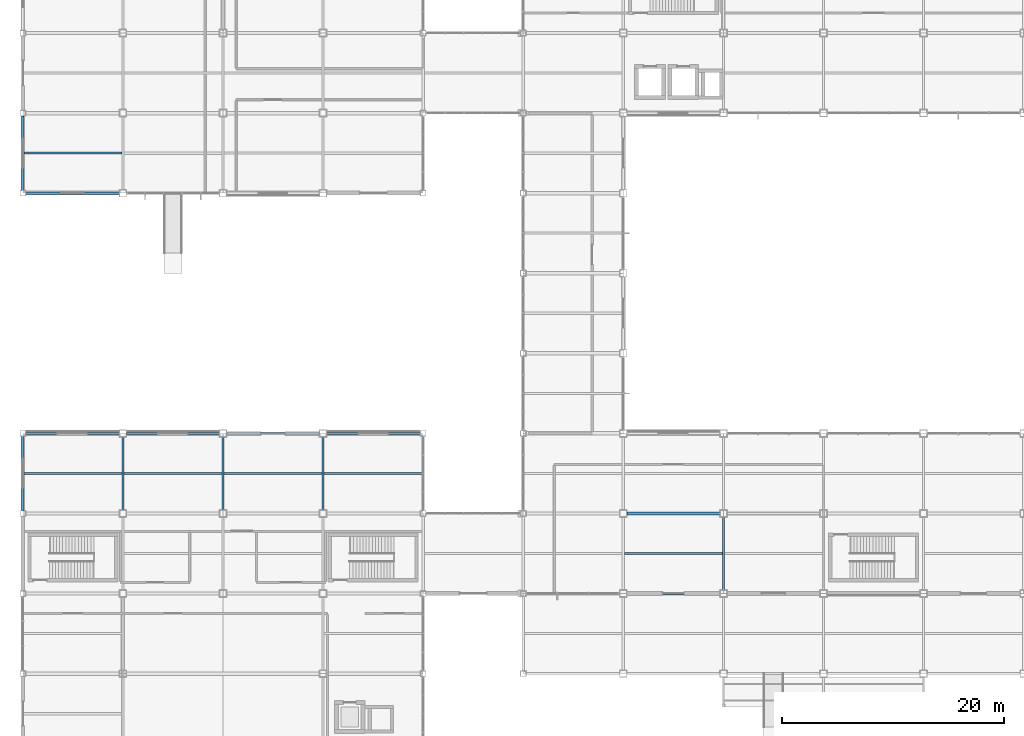
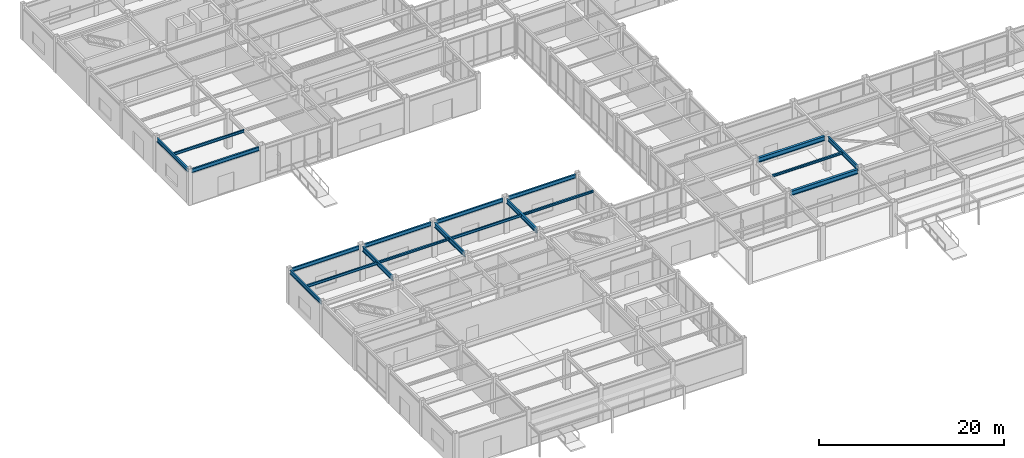
# One storey, part 25 of 112: 19 beams.
"""IFC4 building model written with IfcOpenShell, lengths in metres."""

from ifc_helpers import new_model, si_unit, direction, frame, origin, origin_2d, place, context, subcontext, project, spatial, i_section, extrude, material, material_profile, profile_set, type_object, element, save


model = new_model("IFC4")

# Units and contexts
model_context = context("Model", 3, precision=1e-05, world=origin(), true_north=direction((0.0, 1.0)))
body_context = subcontext(model_context, "Body", "Model", "MODEL_VIEW")
ifc_project = project(units=[si_unit("LENGTHUNIT", "METRE"), si_unit("AREAUNIT", "SQUARE_METRE"), si_unit("VOLUMEUNIT", "CUBIC_METRE"), si_unit("PLANEANGLEUNIT", "RADIAN"), si_unit("MASSUNIT", "GRAM", prefix="KILO")], contexts=[model_context])

# Site, building, storey
site_placement = place(None, origin())
site = spatial("IfcSite", under=ifc_project, at=site_placement, CompositionType="ELEMENT")
building_placement = place(site_placement, origin())
building = spatial("IfcBuilding", under=site, at=building_placement, Name="Kazanami Central Library", CompositionType="ELEMENT")
storey_placement = place(building_placement, origin())
storey = spatial("IfcBuildingStorey", under=building, at=storey_placement, Name="L01", CompositionType="ELEMENT", Elevation=0.0)

# Beams
ifc_material_1 = material(Name="Steel SN400B (235 MPa)", Category="steel")
ifc_material_profile_1 = material_profile(ifc_material_1, i_section(OverallWidth=0.175048828125, OverallDepth=0.35009765625, WebThickness=0.007080078125, FlangeThickness=0.010986328125, at=origin_2d()), Name="H-350x175x7x11")
ifc_profile_set_1 = profile_set([ifc_material_profile_1], Name="Steel SN400B (235 MPa)")
beam_type_1 = type_object("IfcBeamType", Name="BM-B-S2", PredefinedType="JOIST", material=ifc_profile_set_1)
for number, where, z_axis, x_axis, name in (
    (1, (0.097900390625, 32.39990234375, 4.3798828125), (1.0, 0.0, 0.0), (0.0, 1.0, 0.0), "Composite Secondary Joist B-S2 L01 Bay 1/E.1"),
    (2, (0.097900390625, 61.199951171875, 4.3798828125), (1.0, 0.0, 0.0), (0.0, 1.0, 0.0), "Composite Secondary Joist B-S2 L01 Bay 1/J.1"),
    (3, (18.097900390625, 32.39990234375, 4.3798828125), (1.0, 0.0, 0.0), (0.0, 1.0, 0.0), "Composite Secondary Joist B-S2 L01 Bay 3/E.1"),
):
    element("IfcBeam", number, at=place(storey_placement, frame(where, z_axis=z_axis, x_axis=x_axis)), inside=storey, type_object=beam_type_1, Name=name, PredefinedType="JOIST", context=body_context, shape_type="SweptSolid", body=[
        extrude(i_section(OverallWidth=0.175048828125, OverallDepth=0.35009765625, WebThickness=0.007080078125, FlangeThickness=0.010986328125, at=origin_2d()), origin(), (0.0, 0.0, 1.0), 8.80419921875),
    ])
ifc_material_profile_2 = material_profile(ifc_material_1, i_section(OverallWidth=0.199951171875, OverallDepth=0.2939453125, WebThickness=0.008056640625, FlangeThickness=0.011962890625, at=origin_2d()), Name="H-294x200x8x12")
ifc_profile_set_2 = profile_set([ifc_material_profile_2], Name="Steel SN400B (235 MPa)")
beam_type_2 = type_object("IfcBeamType", Name="BM-B-S5", PredefinedType="JOIST", material=ifc_profile_set_2)
for number, where, z_axis, x_axis, name in (
    (4, (9.097900390625, 32.39990234375, 4.407958984375), (1.0, 0.0, 0.0), (0.0, 1.0, 0.0), "Composite Secondary Joist B-S5 L01 Bay 2/E.1"),
    (5, (27.097900390625, 32.39990234375, 4.407958984375), (1.0, 0.0, 0.0), (0.0, 1.0, 0.0), "Composite Secondary Joist B-S5 L01 Bay 4/E.1"),
    (6, (54.097900390625, 25.199951171875, 4.407958984375), (1.0, 0.0, 0.0), (0.0, 1.0, 0.0), "Composite Secondary Joist B-S5 L01 Bay 7/D.1"),
):
    element("IfcBeam", number, at=place(storey_placement, frame(where, z_axis=z_axis, x_axis=x_axis)), inside=storey, type_object=beam_type_2, Name=name, PredefinedType="JOIST", context=body_context, shape_type="SweptSolid", body=[
        extrude(i_section(OverallWidth=0.199951171875, OverallDepth=0.2939453125, WebThickness=0.008056640625, FlangeThickness=0.011962890625, at=origin_2d()), origin(), (0.0, 0.0, 1.0), 8.80419921875),
    ])
ifc_material_2 = material(Name="Steel SN490B (325 MPa)", Category="steel")
ifc_material_profile_3 = material_profile(ifc_material_2, i_section(OverallWidth=0.300048828125, OverallDepth=0.60009765625, WebThickness=0.011962890625, FlangeThickness=0.02001953125, at=origin_2d()), Name="H-600x300x12x20")
ifc_profile_set_3 = profile_set([ifc_material_profile_3], Name="Steel SN490B (325 MPa)")
beam_type_3 = type_object("IfcBeamType", Name="BM-G-X1", PredefinedType="BEAM", material=ifc_profile_set_3)
for number, where, z_axis, x_axis, name in (
    (7, (54.322998046875, 21.60009765625, 4.2548828125), (1.0, 0.0, 0.0), (0.0, 1.0, 0.0), "Girder G-X1 L01 D/7-8"),
    (8, (54.322998046875, 28.800048828125, 4.2548828125), (1.0, 0.0, 0.0), (0.0, 1.0, 0.0), "Girder G-X1 L01 E/7-8"),
):
    element("IfcBeam", number, at=place(storey_placement, frame(where, z_axis=z_axis, x_axis=x_axis)), inside=storey, type_object=beam_type_3, Name=name, PredefinedType="BEAM", context=body_context, shape_type="SweptSolid", body=[
        extrude(i_section(OverallWidth=0.300048828125, OverallDepth=0.60009765625, WebThickness=0.011962890625, FlangeThickness=0.02001953125, at=origin_2d()), origin(), (0.0, 0.0, 1.0), 8.35400390625),
    ])
ifc_material_profile_4 = material_profile(ifc_material_2, i_section(OverallWidth=0.199951171875, OverallDepth=0.60009765625, WebThickness=0.010986328125, FlangeThickness=0.01708984375, at=origin_2d()), Name="H-600x200x11x17")
ifc_profile_set_4 = profile_set([ifc_material_profile_4], Name="Steel SN490B (325 MPa)")
beam_type_4 = type_object("IfcBeamType", Name="BM-G-Y1", PredefinedType="BEAM", material=ifc_profile_set_4)
for number, where, z_axis, x_axis, name in (
    (9, (9.0, 29.123046875, 4.2548828125), (0.0, 1.0, 0.0), (-1.0, 0.0, 0.0), "Girder G-Y1 L01 2/E-F"),
    (10, (18.0, 29.123046875, 4.2548828125), (0.0, 1.0, 0.0), (-1.0, 0.0, 0.0), "Girder G-Y1 L01 3/E-F"),
    (11, (27.0, 29.123046875, 4.2548828125), (0.0, 1.0, 0.0), (-1.0, 0.0, 0.0), "Girder G-Y1 L01 4/E-F"),
    (12, (63.0, 21.923095703125, 4.2548828125), (0.0, 1.0, 0.0), (-1.0, 0.0, 0.0), "Girder G-Y1 L01 8/D-E"),
):
    element("IfcBeam", number, at=place(storey_placement, frame(where, z_axis=z_axis, x_axis=x_axis)), inside=storey, type_object=beam_type_4, Name=name, PredefinedType="BEAM", context=body_context, shape_type="SweptSolid", body=[
        extrude(i_section(OverallWidth=0.199951171875, OverallDepth=0.60009765625, WebThickness=0.010986328125, FlangeThickness=0.01708984375, at=origin_2d()), origin(), (0.0, 0.0, 1.0), 6.553955078125),
    ])
ifc_material_profile_5 = material_profile(ifc_material_2, i_section(OverallWidth=0.199951171875, OverallDepth=0.5, WebThickness=0.010009765625, FlangeThickness=0.01611328125, at=origin_2d()), Name="H-500x200x10x16")
ifc_profile_set_5 = profile_set([ifc_material_profile_5], Name="Steel SN490B (325 MPa)")
beam_type_5 = type_object("IfcBeamType", Name="BM-SP-1", PredefinedType="SPANDREL", material=ifc_profile_set_5)
beam_1_placement = place(storey_placement, frame((0.248046875, 36.0, 4.304931640625), z_axis=(1.0, 0.0, 0.0), x_axis=(0.0, 1.0, 0.0)))
element("IfcBeam", 13, at=beam_1_placement, inside=storey, type_object=beam_type_5, Name="Girder SP-1 L01 F/1-2", PredefinedType="SPANDREL", context=body_context, shape_type="SweptSolid", body=[
    extrude(i_section(OverallWidth=0.199951171875, OverallDepth=0.5, WebThickness=0.010009765625, FlangeThickness=0.01611328125, at=origin_2d()), origin(), (0.0, 0.0, 1.0), 8.428955078125),
])
for number, where, z_axis, x_axis, name in (
    (14, (9.322998046875, 36.0, 4.304931640625), (1.0, 0.0, 0.0), (0.0, 1.0, 0.0), "Girder SP-1 L01 F/2-3"),
    (15, (18.322998046875, 36.0, 4.304931640625), (1.0, 0.0, 0.0), (0.0, 1.0, 0.0), "Girder SP-1 L01 F/3-4"),
):
    element("IfcBeam", number, at=place(storey_placement, frame(where, z_axis=z_axis, x_axis=x_axis)), inside=storey, type_object=beam_type_5, Name=name, PredefinedType="SPANDREL", context=body_context, shape_type="SweptSolid", body=[
        extrude(i_section(OverallWidth=0.199951171875, OverallDepth=0.5, WebThickness=0.010009765625, FlangeThickness=0.01611328125, at=origin_2d()), origin(), (0.0, 0.0, 1.0), 8.35400390625),
    ])
for number, where, z_axis, x_axis, name in (
    (16, (27.322998046875, 36.0, 4.304931640625), (1.0, 0.0, 0.0), (0.0, 1.0, 0.0), "Girder SP-1 L01 F/4-5"),
    (17, (0.248046875, 57.60009765625, 4.304931640625), (1.0, 0.0, 0.0), (0.0, 1.0, 0.0), "Girder SP-1 L01 J/1-2"),
):
    element("IfcBeam", number, at=place(storey_placement, frame(where, z_axis=z_axis, x_axis=x_axis)), inside=storey, type_object=beam_type_5, Name=name, PredefinedType="SPANDREL", context=body_context, shape_type="SweptSolid", body=[
        extrude(i_section(OverallWidth=0.199951171875, OverallDepth=0.5, WebThickness=0.010009765625, FlangeThickness=0.01611328125, at=origin_2d()), origin(), (0.0, 0.0, 1.0), 8.428955078125),
    ])
beam_2_placement = place(storey_placement, frame((0.0, 29.048095703125, 4.304931640625), z_axis=(0.0, 1.0, 0.0), x_axis=(-1.0, 0.0, 0.0)))
element("IfcBeam", 18, at=beam_2_placement, inside=storey, type_object=beam_type_5, Name="Girder SP-1 L01 1/E-F", PredefinedType="SPANDREL", context=body_context, shape_type="SweptSolid", body=[
    extrude(i_section(OverallWidth=0.199951171875, OverallDepth=0.5, WebThickness=0.010009765625, FlangeThickness=0.01611328125, at=origin_2d()), origin(), (0.0, 0.0, 1.0), 6.703857421875),
])
beam_3_placement = place(storey_placement, frame((0.0, 57.847900390625, 4.304931640625), z_axis=(0.0, 1.0, 0.0), x_axis=(-1.0, 0.0, 0.0)))
element("IfcBeam", 19, at=beam_3_placement, inside=storey, type_object=beam_type_5, Name="Girder SP-1 L01 1/J-K", PredefinedType="SPANDREL", context=body_context, shape_type="SweptSolid", body=[
    extrude(i_section(OverallWidth=0.199951171875, OverallDepth=0.5, WebThickness=0.010009765625, FlangeThickness=0.01611328125, at=origin_2d()), origin(), (0.0, 0.0, 1.0), 6.7041015625),
])

save(model, "model.ifc")
